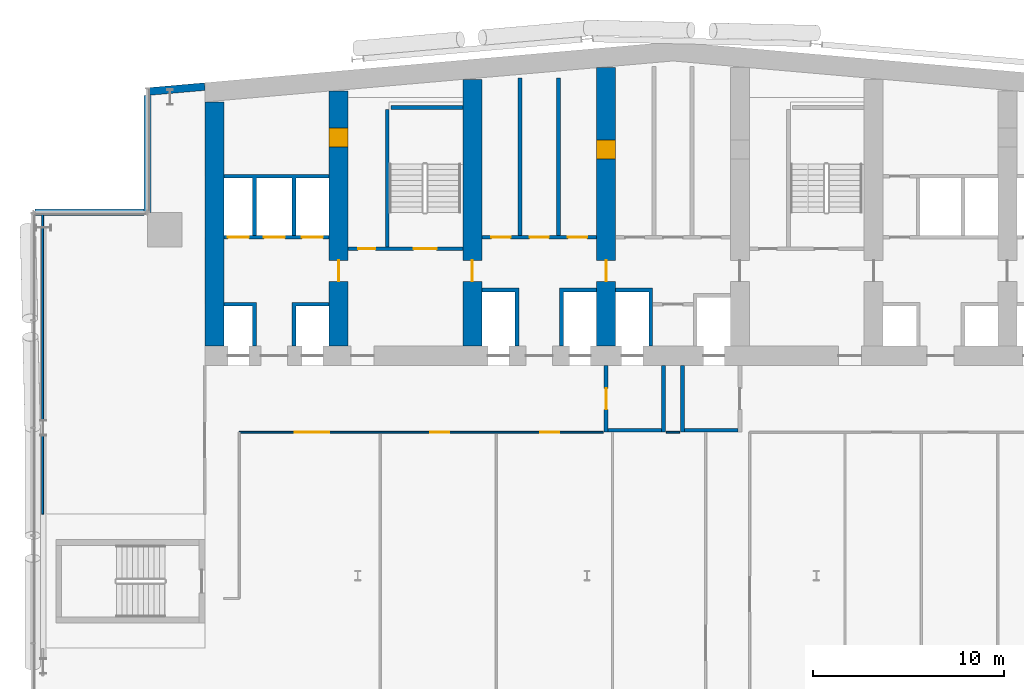
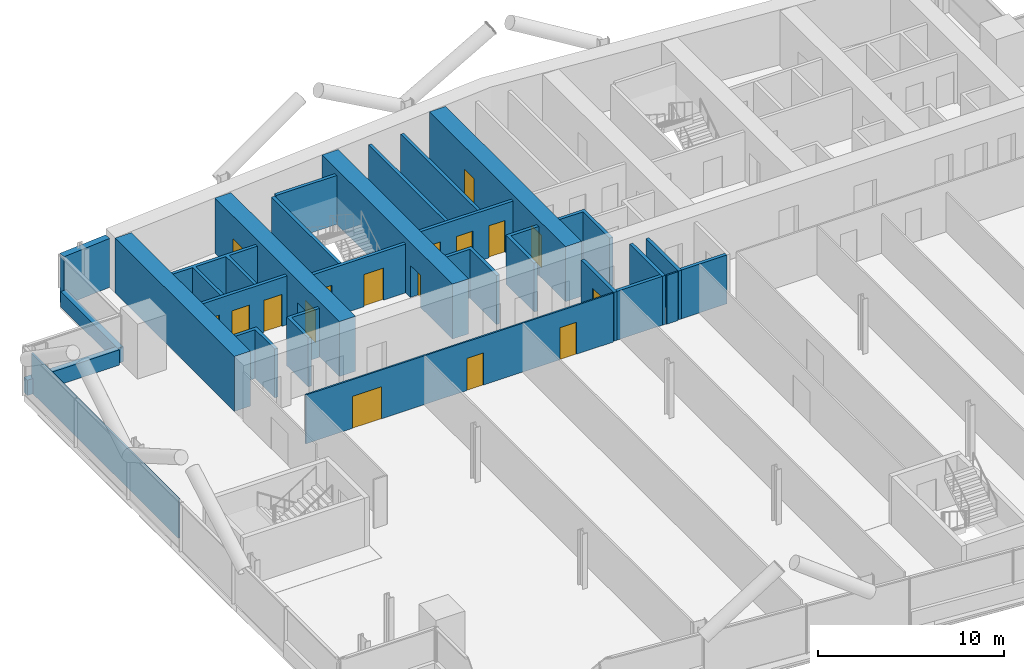
# One storey, part 15 of 25: 28 walls, 17 doors, 17 openings.
"""IFC4 building model written with IfcOpenShell, lengths in metres."""

from ifc_helpers import new_model, si_unit, direction, frame, frame_2d, origin, place, context, subcontext, project, spatial, polyline, rectangle, outline, extrude, material, layer, layer_set, type_object, element, fill, save


model = new_model("IFC4")

# Units and contexts
model_context = context("Model", 3, precision=1e-05, world=origin(), true_north=direction((0.0, 1.0)))
body_context = subcontext(model_context, "Body", "Model", "MODEL_VIEW")
ifc_project = project(units=[si_unit("LENGTHUNIT", "METRE"), si_unit("AREAUNIT", "SQUARE_METRE"), si_unit("VOLUMEUNIT", "CUBIC_METRE"), si_unit("PLANEANGLEUNIT", "RADIAN"), si_unit("MASSUNIT", "GRAM", prefix="KILO")], contexts=[model_context])

# Site, building, storey
site_placement = place(None, origin())
site = spatial("IfcSite", under=ifc_project, at=site_placement, CompositionType="ELEMENT")
building_placement = place(site_placement, origin())
building = spatial("IfcBuilding", under=site, at=building_placement, Name="Wharfspan Tower", CompositionType="ELEMENT")
storey_placement = place(building_placement, frame((0.0, 0.0, 129.100098)))
storey = spatial("IfcBuildingStorey", under=building, at=storey_placement, Name="L30", CompositionType="ELEMENT", Elevation=129.100098)

# Wall, openings, doors
ifc_material_1 = material(Name="Gypsum board on steel studs", Category="steel")
ifc_layer_1 = layer(ifc_material_1, 0.100098)
ifc_layer_set_1 = layer_set([ifc_layer_1], Name="Gypsum board on steel studs")
wall_type_1 = type_object("IfcWallType", Name="Compartment wall 100 EI 60", PredefinedType="PARTITIONING", material=ifc_layer_set_1)
wall_1_placement = place(storey_placement, frame((17.800049, 30.5, 0.0), z_axis=(0.0, 0.0, 1.0), x_axis=(1.0, 0.0, 0.0)))
wall_1 = element("IfcWall", 1, at=wall_1_placement, inside=storey, type_object=wall_type_1, Name="Partition L30.w006", PredefinedType="PARTITIONING", context=body_context, shape_type="SweptSolid", body=[
    extrude(rectangle(XDim=19.050049, YDim=0.100098, at=frame_2d((9.524902, 0.0))), origin(), (0.0, 0.0, 1.0), 3.199951),
])
opening_1_placement = place(wall_1_placement, frame((2.899902, 0.0, 0.0)))
opening_1 = element("IfcOpeningElement", 2, at=opening_1_placement, cuts=wall_1, Name="Opening B4-10", PredefinedType="OPENING", context=body_context, shape_type="SweptSolid", body=[
    extrude(rectangle(XDim=1.800049, YDim=2.100098, at=frame_2d((0.899902, 1.050049))), frame((0.0, 0.060059, 0.0), z_axis=(0.0, -1.0, 0.0), x_axis=(1.0, 0.0, 0.0)), (0.0, 0.0, 1.0), 0.120117),
])
opening_2_placement = place(wall_1_placement, frame((9.98999, 0.0, 0.0)))
opening_2 = element("IfcOpeningElement", 3, at=opening_2_placement, cuts=wall_1, Name="Opening B4-11", PredefinedType="OPENING", context=body_context, shape_type="SweptSolid", body=[
    extrude(rectangle(XDim=1.0, YDim=2.100098, at=frame_2d((0.5, 1.050049))), frame((0.0, 0.060059, 0.0), z_axis=(0.0, -1.0, 0.0), x_axis=(1.0, 0.0, 0.0)), (0.0, 0.0, 1.0), 0.120117),
])
opening_3_placement = place(wall_1_placement, frame((15.75, 0.0, 0.0)))
opening_3 = element("IfcOpeningElement", 4, at=opening_3_placement, cuts=wall_1, Name="Opening B4-12", PredefinedType="OPENING", context=body_context, shape_type="SweptSolid", body=[
    extrude(rectangle(XDim=1.0, YDim=2.100098, at=frame_2d((0.5, 1.050049))), frame((0.0, 0.060059, 0.0), z_axis=(0.0, -1.0, 0.0), x_axis=(1.0, 0.0, 0.0)), (0.0, 0.0, 1.0), 0.120117),
])
ifc_material_2 = material(Name="Fire-rated timber door leaf in steel frame", Category="steel")
door_type_1 = type_object("IfcDoorType", Name="Door 1000 FD30S Left", OperationType="SINGLE_SWING_LEFT", PredefinedType="DOOR", material=ifc_material_2)
door_1_placement = place(opening_2_placement, origin())
door_1 = element("IfcDoor", 5, at=door_1_placement, inside=storey, type_object=door_type_1, Name="Door B4-11", OperationType="SINGLE_SWING_LEFT", OverallHeight=2.100098, OverallWidth=1.0, PredefinedType="DOOR", context=body_context, shape_type="SweptSolid", body=[
    extrude(rectangle(XDim=1.0, YDim=2.100098, at=frame_2d((0.5, 1.050049))), frame((0.0, 0.024902, 0.0), z_axis=(0.0, -1.0, 0.0), x_axis=(1.0, 0.0, 0.0)), (0.0, 0.0, 1.0), 0.050049),
])
fill(opening_2, door_1)
door_type_2 = type_object("IfcDoorType", Name="Door 1000 FD30S Right", OperationType="SINGLE_SWING_RIGHT", PredefinedType="DOOR", material=ifc_material_2)
door_2_placement = place(opening_3_placement, origin())
door_2 = element("IfcDoor", 6, at=door_2_placement, inside=storey, type_object=door_type_2, Name="Door B4-12", OperationType="SINGLE_SWING_RIGHT", OverallHeight=2.100098, OverallWidth=1.0, PredefinedType="DOOR", context=body_context, shape_type="SweptSolid", body=[
    extrude(rectangle(XDim=1.0, YDim=2.100098, at=frame_2d((0.5, 1.050049))), frame((0.0, 0.024902, 0.0), z_axis=(0.0, -1.0, 0.0), x_axis=(1.0, 0.0, 0.0)), (0.0, 0.0, 1.0), 0.050049),
])
fill(opening_3, door_2)
door_type_3 = type_object("IfcDoorType", Name="Door 1800 FD30S Double", OperationType="DOUBLE_DOOR_SINGLE_SWING", PredefinedType="DOOR", material=ifc_material_2)
door_3_placement = place(opening_1_placement, origin())
door_3 = element("IfcDoor", 7, at=door_3_placement, inside=storey, type_object=door_type_3, Name="Door B4-10", OperationType="DOUBLE_DOOR_SINGLE_SWING", OverallHeight=2.100098, OverallWidth=1.800049, PredefinedType="DOOR", context=body_context, shape_type="SweptSolid", body=[
    extrude(rectangle(XDim=1.800049, YDim=2.100098, at=frame_2d((0.899902, 1.050049))), frame((0.0, 0.024902, 0.0), z_axis=(0.0, -1.0, 0.0), x_axis=(1.0, 0.0, 0.0)), (0.0, 0.0, 1.0), 0.050049),
])
fill(opening_1, door_3)

# Walls
wall_2_placement = place(storey_placement, frame((40.149902, 30.5, 0.0), z_axis=(0.0, 0.0, 1.0), x_axis=(1.0, 0.0, 0.0)))
element("IfcWall", 8, at=wall_2_placement, inside=storey, type_object=wall_type_1, Name="Partition L30.w006 (2)", PredefinedType="PARTITIONING", context=body_context, shape_type="SweptSolid", body=[
    extrude(rectangle(XDim=0.700195, YDim=0.100098, at=frame_2d((0.350098, 0.0))), origin(), (0.0, 0.0, 1.0), 3.199951),
])
ifc_material_3 = material(Name="Calcium silicate masonry", Category="masonry")
ifc_layer_2 = layer(ifc_material_3, 0.199951)
ifc_layer_set_2 = layer_set([ifc_layer_2], Name="Calcium silicate masonry")
wall_type_2 = type_object("IfcWallType", Name="Core room wall 200", PredefinedType="PARTITIONING", material=ifc_layer_set_2)
for number, where, z_axis, x_axis, name in (
    (9, (32.5, 40.800049, 0.0), (0.0, 0.0, 1.0), (0.0, 1.0, 0.0), "sw:L30:RP3.1"),
    (10, (34.5, 40.800049, 0.0), (0.0, 0.0, 1.0), (0.0, 1.0, 0.0), "sw:L30:RP3.2"),
):
    element("IfcWall", number, at=place(storey_placement, frame(where, z_axis=z_axis, x_axis=x_axis)), inside=storey, type_object=wall_type_2, Name=name, PredefinedType="PARTITIONING", context=body_context, shape_type="SweptSolid", body=[
        extrude(rectangle(XDim=8.232178, YDim=0.199951, at=frame_2d((4.116211, 0.0))), origin(), (0.0, 0.0, 1.0), 3.199951),
    ])
ifc_material_4 = material(Name="Concrete C70/85", Category="concrete")
ifc_layer_3 = layer(ifc_material_4, 1.0)
ifc_layer_set_3 = layer_set([ifc_layer_3], Name="Concrete C70/85")
wall_type_3 = type_object("IfcWallType", Name="Core wall 1000 C70/85", PredefinedType="SHEAR", material=ifc_layer_set_3)
wall_3_placement = place(storey_placement, frame((16.5, 35.0, 0.0), z_axis=(0.0, 0.0, 1.0), x_axis=(0.0, 1.0, 0.0)))
element("IfcWall", 11, at=wall_3_placement, inside=storey, type_object=wall_type_3, Name="Core cross wall EW0 L30", PredefinedType="SHEAR", context=body_context, shape_type="SweptSolid", body=[
    extrude(rectangle(XDim=12.783691, YDim=1.0, at=frame_2d((6.391846, 0.0))), origin(), (0.0, 0.0, 1.0), 3.599854),
])

# Wall, openings, doors
wall_4_placement = place(storey_placement, frame((23.0, 35.0, 0.0), z_axis=(0.0, 0.0, 1.0), x_axis=(0.0, 1.0, 0.0)))
wall_4 = element("IfcWall", 12, at=wall_4_placement, inside=storey, type_object=wall_type_3, Name="Core cross wall X2 L30", PredefinedType="SHEAR", context=body_context, shape_type="SweptSolid", body=[
    extrude(rectangle(XDim=13.352295, YDim=1.0, at=frame_2d((6.67627, 0.0))), origin(), (0.0, 0.0, 1.0), 3.599854),
])
opening_4_placement = place(wall_4_placement, frame((10.425537, 0.0, 0.0)))
opening_4 = element("IfcOpeningElement", 13, at=opening_4_placement, cuts=wall_4, Name="Opening CD30.1X", PredefinedType="OPENING", context=body_context, shape_type="SweptSolid", body=[
    extrude(rectangle(XDim=1.0, YDim=2.100098, at=frame_2d((0.5, 1.050049))), frame((0.0, 0.51001, 0.0), z_axis=(0.0, -1.0, 0.0), x_axis=(1.0, 0.0, 0.0)), (0.0, 0.0, 1.0), 1.02002),
])
opening_5_placement = place(wall_4_placement, frame((3.399902, 0.0, 0.0)))
opening_5 = element("IfcOpeningElement", 14, at=opening_5_placement, cuts=wall_4, Name="Opening CC30.2", PredefinedType="OPENING", context=body_context, shape_type="SweptSolid", body=[
    extrude(rectangle(XDim=1.100098, YDim=2.100098, at=frame_2d((0.550049, 1.050049))), frame((0.0, 0.51001, 0.0), z_axis=(0.0, -1.0, 0.0), x_axis=(1.0, 0.0, 0.0)), (0.0, 0.0, 1.0), 1.02002),
])
ifc_material_5 = material(Name="Steel door leaf", Category="steel")
door_type_4 = type_object("IfcDoorType", Name="Core corridor door 1100x2100", OperationType="SINGLE_SWING_LEFT", PredefinedType="DOOR", material=ifc_material_5)
door_4_placement = place(opening_5_placement, origin())
door_4 = element("IfcDoor", 15, at=door_4_placement, inside=storey, type_object=door_type_4, Name="xd:L30:2", OperationType="SINGLE_SWING_RIGHT", OverallHeight=2.100098, OverallWidth=1.100098, PredefinedType="DOOR", context=body_context, shape_type="SweptSolid", body=[
    extrude(rectangle(XDim=1.100098, YDim=2.100098, at=frame_2d((0.550049, 1.050049))), frame((0.0, 0.024902, 0.0), z_axis=(0.0, -1.0, 0.0), x_axis=(1.0, 0.0, 0.0)), (0.0, 0.0, 1.0), 0.050049),
])
fill(opening_5, door_4)
door_type_5 = type_object("IfcDoorType", Name="Core room door 1000x2100", OperationType="SINGLE_SWING_LEFT", PredefinedType="DOOR", material=ifc_material_5)
door_5_placement = place(opening_4_placement, origin())
door_5 = element("IfcDoor", 16, at=door_5_placement, inside=storey, type_object=door_type_5, Name="d:L30:1:sx", OperationType="SINGLE_SWING_LEFT", OverallHeight=2.100098, OverallWidth=1.0, PredefinedType="DOOR", context=body_context, shape_type="SweptSolid", body=[
    extrude(rectangle(XDim=1.0, YDim=2.100098, at=frame_2d((0.5, 1.050049))), frame((0.0, 0.499756, 0.0), z_axis=(0.0, -1.0, 0.0), x_axis=(1.0, 0.0, 0.0)), (0.0, 0.0, 1.0), 0.999512),
])
fill(opening_4, door_5)

# Wall, opening, door
wall_5_placement = place(storey_placement, frame((30.0, 35.0, 0.0), z_axis=(0.0, 0.0, 1.0), x_axis=(0.0, 1.0, 0.0)))
wall_5 = element("IfcWall", 17, at=wall_5_placement, inside=storey, type_object=wall_type_3, Name="Core cross wall X3 L30", PredefinedType="SHEAR", context=body_context, shape_type="SweptSolid", body=[
    extrude(rectangle(XDim=13.9646, YDim=1.0, at=frame_2d((6.982422, 0.0))), origin(), (0.0, 0.0, 1.0), 3.599854),
])
opening_6_placement = place(wall_5_placement, frame((3.399902, 0.0, 0.0)))
opening_6 = element("IfcOpeningElement", 18, at=opening_6_placement, cuts=wall_5, Name="Opening CC30.3", PredefinedType="OPENING", context=body_context, shape_type="SweptSolid", body=[
    extrude(rectangle(XDim=1.100098, YDim=2.100098, at=frame_2d((0.550049, 1.050049))), frame((0.0, 0.51001, 0.0), z_axis=(0.0, -1.0, 0.0), x_axis=(1.0, 0.0, 0.0)), (0.0, 0.0, 1.0), 1.02002),
])
door_6_placement = place(opening_6_placement, origin())
door_6 = element("IfcDoor", 19, at=door_6_placement, inside=storey, type_object=door_type_4, Name="xd:L30:3", OperationType="SINGLE_SWING_LEFT", OverallHeight=2.100098, OverallWidth=1.100098, PredefinedType="DOOR", context=body_context, shape_type="SweptSolid", body=[
    extrude(rectangle(XDim=1.100098, YDim=2.100098, at=frame_2d((0.550049, 1.050049))), frame((0.0, 0.024902, 0.0), z_axis=(0.0, -1.0, 0.0), x_axis=(1.0, 0.0, 0.0)), (0.0, 0.0, 1.0), 0.050049),
])
fill(opening_6, door_6)

# Wall, openings, doors
wall_6_placement = place(storey_placement, frame((37.0, 35.0, 0.0), z_axis=(0.0, 0.0, 1.0), x_axis=(0.0, 1.0, 0.0)))
wall_6 = element("IfcWall", 20, at=wall_6_placement, inside=storey, type_object=wall_type_3, Name="Core cross wall X4 L30", PredefinedType="SHEAR", context=body_context, shape_type="SweptSolid", body=[
    extrude(rectangle(XDim=14.577148, YDim=1.0, at=frame_2d((7.288574, 0.0))), origin(), (0.0, 0.0, 1.0), 3.599854),
])
opening_7_placement = place(wall_6_placement, frame((3.399902, 0.0, 0.0)))
opening_7 = element("IfcOpeningElement", 21, at=opening_7_placement, cuts=wall_6, Name="Opening CC30.4", PredefinedType="OPENING", context=body_context, shape_type="SweptSolid", body=[
    extrude(rectangle(XDim=1.100098, YDim=2.100098, at=frame_2d((0.550049, 1.050049))), frame((0.0, 0.51001, 0.0), z_axis=(0.0, -1.0, 0.0), x_axis=(1.0, 0.0, 0.0)), (0.0, 0.0, 1.0), 1.02002),
])
opening_8_placement = place(wall_6_placement, frame((9.800049, 0.0, 0.0)))
opening_8 = element("IfcOpeningElement", 22, at=opening_8_placement, cuts=wall_6, Name="Opening CR30.4", PredefinedType="OPENING", context=body_context, shape_type="SweptSolid", body=[
    extrude(rectangle(XDim=1.0, YDim=2.100098, at=frame_2d((0.5, 1.050049))), frame((0.0, 0.51001, 0.0), z_axis=(0.0, -1.0, 0.0), x_axis=(1.0, 0.0, 0.0)), (0.0, 0.0, 1.0), 1.02002),
])
door_7_placement = place(opening_7_placement, origin())
door_7 = element("IfcDoor", 23, at=door_7_placement, inside=storey, type_object=door_type_4, Name="xd:L30:4", OperationType="SINGLE_SWING_RIGHT", OverallHeight=2.100098, OverallWidth=1.100098, PredefinedType="DOOR", context=body_context, shape_type="SweptSolid", body=[
    extrude(rectangle(XDim=1.100098, YDim=2.100098, at=frame_2d((0.550049, 1.050049))), frame((0.0, 0.024902, 0.0), z_axis=(0.0, -1.0, 0.0), x_axis=(1.0, 0.0, 0.0)), (0.0, 0.0, 1.0), 0.050049),
])
fill(opening_7, door_7)
door_8_placement = place(opening_8_placement, origin())
door_8 = element("IfcDoor", 24, at=door_8_placement, inside=storey, type_object=door_type_5, Name="xr:L30:4", OperationType="SINGLE_SWING_RIGHT", OverallHeight=2.100098, OverallWidth=1.0, PredefinedType="DOOR", context=body_context, shape_type="SweptSolid", body=[
    extrude(rectangle(XDim=1.0, YDim=2.100098, at=frame_2d((0.5, 1.050049))), frame((0.0, 0.499756, 0.0), z_axis=(0.0, -1.0, 0.0), x_axis=(1.0, 0.0, 0.0)), (0.0, 0.0, 1.0), 0.999512),
])
fill(opening_8, door_8)

ifc_material_6 = material(Name="Concrete C30/37", Category="concrete")
ifc_layer_4 = layer(ifc_material_6, 0.199951)
ifc_layer_set_4 = layer_set([ifc_layer_4], Name="Concrete C30/37")
wall_type_4 = type_object("IfcWallType", Name="Lift shaft wall 200", PredefinedType="PARTITIONING", material=ifc_layer_set_4)
wall_7_placement = place(storey_placement, frame((17.0, 40.699951, 0.0), z_axis=(0.0, 0.0, 1.0), x_axis=(1.0, 0.0, 0.0)))
wall_7 = element("IfcWall", 25, at=wall_7_placement, inside=storey, type_object=wall_type_4, Name="sw:L30:RF1", PredefinedType="PARTITIONING", context=body_context, shape_type="SweptSolid", body=[
    extrude(rectangle(XDim=5.5, YDim=0.199951, at=frame_2d((2.75, 0.0))), origin(), (0.0, 0.0, 1.0), 3.199951),
])
opening_9_placement = place(wall_7_placement, frame((0.199951, 0.0, 0.0)))
opening_9 = element("IfcOpeningElement", 26, at=opening_9_placement, cuts=wall_7, Name="Opening LD.LA3.L30", PredefinedType="OPENING", context=body_context, shape_type="SweptSolid", body=[
    extrude(rectangle(XDim=1.100098, YDim=2.100098, at=frame_2d((0.550049, 1.050049))), frame((0.0, 0.109863, 0.0), z_axis=(0.0, -1.0, 0.0), x_axis=(1.0, 0.0, 0.0)), (0.0, 0.0, 1.0), 0.219971),
])
opening_10_placement = place(wall_7_placement, frame((2.083252, 0.0, 0.0)))
opening_10 = element("IfcOpeningElement", 27, at=opening_10_placement, cuts=wall_7, Name="Opening LD.LA4.L30", PredefinedType="OPENING", context=body_context, shape_type="SweptSolid", body=[
    extrude(rectangle(XDim=1.100098, YDim=2.100098, at=frame_2d((0.550049, 1.050049))), frame((0.0, 0.109863, 0.0), z_axis=(0.0, -1.0, 0.0), x_axis=(1.0, 0.0, 0.0)), (0.0, 0.0, 1.0), 0.219971),
])
opening_11_placement = place(wall_7_placement, frame((4.083252, 0.0, 0.0)))
opening_11 = element("IfcOpeningElement", 28, at=opening_11_placement, cuts=wall_7, Name="Opening LD.LA5.L30", PredefinedType="OPENING", context=body_context, shape_type="SweptSolid", body=[
    extrude(rectangle(XDim=1.100098, YDim=2.100098, at=frame_2d((0.550049, 1.050049))), frame((0.0, 0.109863, 0.0), z_axis=(0.0, -1.0, 0.0), x_axis=(1.0, 0.0, 0.0)), (0.0, 0.0, 1.0), 0.219971),
])
ifc_material_7 = material(Name="Stainless steel", Category="steel")
door_type_6 = type_object("IfcDoorType", Name="Lift landing door 1100x2100", OperationType="DOUBLE_DOOR_SLIDING", PredefinedType="DOOR", material=ifc_material_7)
door_9_placement = place(opening_9_placement, origin())
door_9 = element("IfcDoor", 29, at=door_9_placement, inside=storey, type_object=door_type_6, Name="Landing door LA3 L30", OperationType="DOUBLE_DOOR_SLIDING", OverallHeight=2.100098, OverallWidth=1.100098, PredefinedType="DOOR", context=body_context, shape_type="SweptSolid", body=[
    extrude(rectangle(XDim=1.100098, YDim=2.100098, at=frame_2d((0.550049, 1.050049))), frame((0.0, 0.024902, 0.0), z_axis=(0.0, -1.0, 0.0), x_axis=(1.0, 0.0, 0.0)), (0.0, 0.0, 1.0), 0.050049),
])
fill(opening_9, door_9)
door_10_placement = place(opening_10_placement, origin())
door_10 = element("IfcDoor", 30, at=door_10_placement, inside=storey, type_object=door_type_6, Name="Landing door LA4 L30", OperationType="DOUBLE_DOOR_SLIDING", OverallHeight=2.100098, OverallWidth=1.100098, PredefinedType="DOOR", context=body_context, shape_type="SweptSolid", body=[
    extrude(rectangle(XDim=1.100098, YDim=2.100098, at=frame_2d((0.550049, 1.050049))), frame((0.0, 0.024902, 0.0), z_axis=(0.0, -1.0, 0.0), x_axis=(1.0, 0.0, 0.0)), (0.0, 0.0, 1.0), 0.050049),
])
fill(opening_10, door_10)
door_11_placement = place(opening_11_placement, origin())
door_11 = element("IfcDoor", 31, at=door_11_placement, inside=storey, type_object=door_type_6, Name="Landing door LA5 L30", OperationType="DOUBLE_DOOR_SLIDING", OverallHeight=2.100098, OverallWidth=1.100098, PredefinedType="DOOR", context=body_context, shape_type="SweptSolid", body=[
    extrude(rectangle(XDim=1.100098, YDim=2.100098, at=frame_2d((0.550049, 1.050049))), frame((0.0, 0.024902, 0.0), z_axis=(0.0, -1.0, 0.0), x_axis=(1.0, 0.0, 0.0)), (0.0, 0.0, 1.0), 0.050049),
])
fill(opening_11, door_11)

# Walls
wall_8_placement = place(storey_placement, frame((0.0, 0.0, -0.000244)))
element("IfcWall", 32, at=wall_8_placement, inside=storey, type_object=wall_type_4, Name="sw:L30:FM1.0", PredefinedType="PARTITIONING", context=body_context, shape_type="SweptSolid", body=[
    extrude(outline(polyline([(18.5, 37.100098), (17.0, 37.100098), (17.0, 37.300049), (18.5, 37.300049), (18.699951, 37.300049), (18.699951, 35.0), (18.5, 35.0), (18.5, 37.100098)])), origin(), (0.0, 0.0, 1.0), 3.200195),
])
wall_9_placement = place(storey_placement, frame((0.0, 0.0, -0.000244)))
element("IfcWall", 33, at=wall_9_placement, inside=storey, type_object=wall_type_4, Name="sw:L30:FM1.1", PredefinedType="PARTITIONING", context=body_context, shape_type="SweptSolid", body=[
    extrude(outline(polyline([(20.56665, 37.300049), (20.766602, 37.300049), (22.5, 37.300049), (22.5, 37.100098), (20.766602, 37.100098), (20.766602, 35.0), (20.56665, 35.0), (20.56665, 37.300049)])), origin(), (0.0, 0.0, 1.0), 3.200195),
])
wall_10_placement = place(storey_placement, frame((0.0, 0.0, -0.000244)))
element("IfcWall", 34, at=wall_10_placement, inside=storey, type_object=wall_type_4, Name="sw:L30:RM1.0", PredefinedType="PARTITIONING", context=body_context, shape_type="SweptSolid", body=[
    extrude(outline(polyline([(18.699951, 40.800049), (18.5, 40.800049), (18.5, 43.800049), (17.0, 43.800049), (17.0, 44.0), (22.5, 44.0), (22.5, 43.800049), (20.766602, 43.800049), (20.766602, 40.800049), (20.56665, 40.800049), (20.56665, 43.800049), (18.699951, 43.800049), (18.699951, 40.800049)])), origin(), (0.0, 0.0, 1.0), 3.200195),
])

# Wall, openings, doors
wall_11_placement = place(storey_placement, frame((30.5, 40.699951, 0.0), z_axis=(0.0, 0.0, 1.0), x_axis=(1.0, 0.0, 0.0)))
wall_11 = element("IfcWall", 35, at=wall_11_placement, inside=storey, type_object=wall_type_4, Name="sw:L30:RF3", PredefinedType="PARTITIONING", context=body_context, shape_type="SweptSolid", body=[
    extrude(rectangle(XDim=6.0, YDim=0.199951, at=frame_2d((3.0, 0.0))), origin(), (0.0, 0.0, 1.0), 3.199951),
])
opening_12_placement = place(wall_11_placement, frame((0.5, 0.0, 0.0)))
opening_12 = element("IfcOpeningElement", 36, at=opening_12_placement, cuts=wall_11, Name="Opening CD30.3S", PredefinedType="OPENING", context=body_context, shape_type="SweptSolid", body=[
    extrude(rectangle(XDim=1.0, YDim=2.100098, at=frame_2d((0.5, 1.050049))), frame((0.0, 0.109863, 0.0), z_axis=(0.0, -1.0, 0.0), x_axis=(1.0, 0.0, 0.0)), (0.0, 0.0, 1.0), 0.219971),
])
opening_13_placement = place(wall_11_placement, frame((2.5, 0.0, 0.0)))
opening_13 = element("IfcOpeningElement", 37, at=opening_13_placement, cuts=wall_11, Name="Opening CD30.3Sa", PredefinedType="OPENING", context=body_context, shape_type="SweptSolid", body=[
    extrude(rectangle(XDim=1.0, YDim=2.100098, at=frame_2d((0.5, 1.050049))), frame((0.0, 0.109863, 0.0), z_axis=(0.0, -1.0, 0.0), x_axis=(1.0, 0.0, 0.0)), (0.0, 0.0, 1.0), 0.219971),
])
opening_14_placement = place(wall_11_placement, frame((4.5, 0.0, 0.0)))
opening_14 = element("IfcOpeningElement", 38, at=opening_14_placement, cuts=wall_11, Name="Opening CD30.3Sb", PredefinedType="OPENING", context=body_context, shape_type="SweptSolid", body=[
    extrude(rectangle(XDim=1.0, YDim=2.100098, at=frame_2d((0.5, 1.050049))), frame((0.0, 0.109863, 0.0), z_axis=(0.0, -1.0, 0.0), x_axis=(1.0, 0.0, 0.0)), (0.0, 0.0, 1.0), 0.219971),
])
door_12_placement = place(opening_12_placement, origin())
door_12 = element("IfcDoor", 39, at=door_12_placement, inside=storey, type_object=door_type_5, Name="d:L30:3:sf", OperationType="SINGLE_SWING_LEFT", OverallHeight=2.100098, OverallWidth=1.0, PredefinedType="DOOR", context=body_context, shape_type="SweptSolid", body=[
    extrude(rectangle(XDim=1.0, YDim=2.100098, at=frame_2d((0.5, 1.050049))), frame((0.0, 0.024902, 0.0), z_axis=(0.0, -1.0, 0.0), x_axis=(1.0, 0.0, 0.0)), (0.0, 0.0, 1.0), 0.050049),
])
fill(opening_12, door_12)
door_13_placement = place(opening_13_placement, origin())
door_13 = element("IfcDoor", 40, at=door_13_placement, inside=storey, type_object=door_type_5, Name="d:L30:3:sf1", OperationType="SINGLE_SWING_LEFT", OverallHeight=2.100098, OverallWidth=1.0, PredefinedType="DOOR", context=body_context, shape_type="SweptSolid", body=[
    extrude(rectangle(XDim=1.0, YDim=2.100098, at=frame_2d((0.5, 1.050049))), frame((0.0, 0.024902, 0.0), z_axis=(0.0, -1.0, 0.0), x_axis=(1.0, 0.0, 0.0)), (0.0, 0.0, 1.0), 0.050049),
])
fill(opening_13, door_13)
door_14_placement = place(opening_14_placement, origin())
door_14 = element("IfcDoor", 41, at=door_14_placement, inside=storey, type_object=door_type_5, Name="d:L30:3:sf2", OperationType="SINGLE_SWING_LEFT", OverallHeight=2.100098, OverallWidth=1.0, PredefinedType="DOOR", context=body_context, shape_type="SweptSolid", body=[
    extrude(rectangle(XDim=1.0, YDim=2.100098, at=frame_2d((0.5, 1.050049))), frame((0.0, 0.024902, 0.0), z_axis=(0.0, -1.0, 0.0), x_axis=(1.0, 0.0, 0.0)), (0.0, 0.0, 1.0), 0.050049),
])
fill(opening_14, door_14)

# Walls
wall_12_placement = place(storey_placement, frame((0.0, 0.0, -0.000244)))
element("IfcWall", 42, at=wall_12_placement, inside=storey, type_object=wall_type_4, Name="sw:L30:FM3.0", PredefinedType="PARTITIONING", context=body_context, shape_type="SweptSolid", body=[
    extrude(outline(polyline([(32.233398, 37.850098), (30.5, 37.850098), (30.5, 38.050049), (32.233398, 38.050049), (32.43335, 38.050049), (32.43335, 35.0), (32.233398, 35.0), (32.233398, 37.850098)])), origin(), (0.0, 0.0, 1.0), 3.200195),
])
wall_13_placement = place(storey_placement, frame((0.0, 0.0, -0.000244)))
element("IfcWall", 43, at=wall_13_placement, inside=storey, type_object=wall_type_4, Name="sw:L30:FM3.1", PredefinedType="PARTITIONING", context=body_context, shape_type="SweptSolid", body=[
    extrude(outline(polyline([(34.56665, 38.050049), (34.766602, 38.050049), (36.5, 38.050049), (36.5, 37.850098), (34.766602, 37.850098), (34.766602, 35.0), (34.56665, 35.0), (34.56665, 38.050049)])), origin(), (0.0, 0.0, 1.0), 3.200195),
])
wall_14_placement = place(storey_placement, frame((0.0, 0.0, -0.000244)))
element("IfcWall", 44, at=wall_14_placement, inside=storey, type_object=wall_type_4, Name="sw:L30:FM4.1", PredefinedType="PARTITIONING", context=body_context, shape_type="SweptSolid", body=[
    extrude(outline(polyline([(39.233398, 37.850098), (37.5, 37.850098), (37.5, 38.050049), (39.233398, 38.050049), (39.43335, 38.050049), (39.43335, 35.0), (39.233398, 35.0), (39.233398, 37.850098)])), origin(), (0.0, 0.0, 1.0), 3.200195),
])

# Wall, opening, door
ifc_layer_5 = layer(ifc_material_6, 0.199951)
ifc_layer_set_5 = layer_set([ifc_layer_5], Name="Concrete C30/37")
wall_type_5 = type_object("IfcWallType", Name="Lobby wall 200", PredefinedType="PARTITIONING", material=ifc_layer_set_5)
wall_15_placement = place(storey_placement, frame((37.0, 30.5, 0.0), z_axis=(0.0, 0.0, 1.0), x_axis=(0.0, 1.0, 0.0)))
wall_15 = element("IfcWall", 45, at=wall_15_placement, inside=storey, type_object=wall_type_5, Name="sw:L30:FLFF1W", PredefinedType="PARTITIONING", context=body_context, shape_type="SweptSolid", body=[
    extrude(rectangle(XDim=3.5, YDim=0.199951, at=frame_2d((1.75, 0.0))), origin(), (0.0, 0.0, 1.0), 3.199951),
])
opening_15_placement = place(wall_15_placement, frame((1.199951, 0.0, 0.0)))
opening_15 = element("IfcOpeningElement", 46, at=opening_15_placement, cuts=wall_15, Name="Opening FL.FF1.L30", PredefinedType="OPENING", context=body_context, shape_type="SweptSolid", body=[
    extrude(rectangle(XDim=1.100098, YDim=2.100098, at=frame_2d((0.550049, 1.050049))), frame((0.0, 0.109863, 0.0), z_axis=(0.0, -1.0, 0.0), x_axis=(1.0, 0.0, 0.0)), (0.0, 0.0, 1.0), 0.219971),
])
door_type_7 = type_object("IfcDoorType", Name="Firefighting lobby door 1100x2100", OperationType="SINGLE_SWING_LEFT", PredefinedType="DOOR", material=ifc_material_5)
door_15_placement = place(opening_15_placement, origin())
door_15 = element("IfcDoor", 47, at=door_15_placement, inside=storey, type_object=door_type_7, Name="fd:L30:FF1", OperationType="SINGLE_SWING_LEFT", OverallHeight=2.100098, OverallWidth=1.100098, PredefinedType="DOOR", context=body_context, shape_type="SweptSolid", body=[
    extrude(rectangle(XDim=1.100098, YDim=2.100098, at=frame_2d((0.550049, 1.050049))), frame((0.0, 0.024902, 0.0), z_axis=(0.0, -1.0, 0.0), x_axis=(1.0, 0.0, 0.0)), (0.0, 0.0, 1.0), 0.050049),
])
fill(opening_15, door_15)

# Walls
wall_16_placement = place(storey_placement, frame((40.0, 30.5, 0.0), z_axis=(0.0, 0.0, 1.0), x_axis=(0.0, 1.0, 0.0)))
element("IfcWall", 48, at=wall_16_placement, inside=storey, type_object=wall_type_5, Name="sw:L30:FLFF1E", PredefinedType="PARTITIONING", context=body_context, shape_type="SweptSolid", body=[
    extrude(rectangle(XDim=3.5, YDim=0.199951, at=frame_2d((1.75, 0.0))), origin(), (0.0, 0.0, 1.0), 3.199951),
])
wall_17_placement = place(storey_placement, frame((37.100098, 30.600098, 0.0), z_axis=(0.0, 0.0, 1.0), x_axis=(1.0, 0.0, 0.0)))
element("IfcWall", 49, at=wall_17_placement, inside=storey, type_object=wall_type_5, Name="sw:L30:FLFF1F", PredefinedType="PARTITIONING", context=body_context, shape_type="SweptSolid", body=[
    extrude(rectangle(XDim=2.799805, YDim=0.199951, at=frame_2d((1.399902, 0.0))), origin(), (0.0, 0.0, 1.0), 3.199951),
])
wall_18_placement = place(storey_placement, frame((41.0, 30.5, 0.0), z_axis=(0.0, 0.0, 1.0), x_axis=(0.0, 1.0, 0.0)))
element("IfcWall", 50, at=wall_18_placement, inside=storey, type_object=wall_type_5, Name="sw:L30:FLFF2W", PredefinedType="PARTITIONING", context=body_context, shape_type="SweptSolid", body=[
    extrude(rectangle(XDim=3.5, YDim=0.199951, at=frame_2d((1.75, 0.0))), origin(), (0.0, 0.0, 1.0), 3.199951),
])
wall_19_placement = place(storey_placement, frame((41.100098, 30.600098, 0.0), z_axis=(0.0, 0.0, 1.0), x_axis=(1.0, 0.0, 0.0)))
element("IfcWall", 51, at=wall_19_placement, inside=storey, type_object=wall_type_5, Name="sw:L30:FLFF2F", PredefinedType="PARTITIONING", context=body_context, shape_type="SweptSolid", body=[
    extrude(rectangle(XDim=2.799805, YDim=0.199951, at=frame_2d((1.399902, 0.0))), origin(), (0.0, 0.0, 1.0), 3.199951),
])
ifc_layer_6 = layer(ifc_material_1, 0.100098)
ifc_layer_set_6 = layer_set([ifc_layer_6], Name="Gypsum board on steel studs")
wall_type_6 = type_object("IfcWallType", Name="Partition 100", PredefinedType="PARTITIONING", material=ifc_layer_set_6)
wall_20_placement = place(storey_placement, frame((7.51001, 26.219971, 0.0), z_axis=(0.0, 0.0, 1.0), x_axis=(0.0, 1.0, 0.0)))
element("IfcWall", 52, at=wall_20_placement, inside=storey, type_object=wall_type_6, Name="Partition L30.w002", PredefinedType="PARTITIONING", context=body_context, shape_type="SweptSolid", body=[
    extrude(rectangle(XDim=15.76001, YDim=0.100098, at=frame_2d((7.879883, 0.0))), origin(), (0.0, 0.0, 1.0), 2.579834),
])
ifc_material_8 = material(Name="Concrete C40/50", Category="concrete")
ifc_layer_7 = layer(ifc_material_8, 0.350098)
ifc_layer_set_7 = layer_set([ifc_layer_7], Name="Concrete C40/50")
wall_type_7 = type_object("IfcWallType", Name="SPANDREL EXPOSED CONCRETE 350", PredefinedType="SOLIDWALL", material=ifc_layer_set_7)
wall_21_placement = place(storey_placement, frame((12.995117, 48.126465, 0.0), z_axis=(0.0, 0.0, 1.0), x_axis=(0.0, -1.0, 0.0)))
element("IfcWall", 53, at=wall_21_placement, inside=storey, type_object=wall_type_7, Name="Spandrel upstand L30 NRW-V", PredefinedType="SOLIDWALL", context=body_context, shape_type="SweptSolid", body=[
    extrude(rectangle(XDim=6.126465, YDim=0.350098, at=frame_2d((3.063232, 0.0))), origin(), (0.0, 0.0, 1.0), 1.0),
])
wall_22_placement = place(storey_placement, frame((12.820068, 42.004883, 0.0), z_axis=(0.0, 0.0, 1.0), x_axis=(-1.0, 0.0, 0.0)))
element("IfcWall", 54, at=wall_22_placement, inside=storey, type_object=wall_type_7, Name="Spandrel upstand L30 NRW-H", PredefinedType="SOLIDWALL", context=body_context, shape_type="SweptSolid", body=[
    extrude(rectangle(XDim=5.699951, YDim=0.350098, at=frame_2d((2.850098, 0.0))), origin(), (0.0, 0.0, 1.0), 1.0),
])

# Wall, openings, doors
ifc_layer_8 = layer(ifc_material_8, 0.199951)
ifc_layer_set_8 = layer_set([ifc_layer_8], Name="Concrete C40/50")
wall_type_8 = type_object("IfcWallType", Name="Stair shaft wall 200", PredefinedType="SHEAR", material=ifc_layer_set_8)
wall_23_placement = place(storey_placement, frame((23.5, 40.100098, 0.0), z_axis=(0.0, 0.0, 1.0), x_axis=(1.0, 0.0, 0.0)))
wall_23 = element("IfcWall", 55, at=wall_23_placement, inside=storey, type_object=wall_type_8, Name="ST1 stair enclosure wall L30", PredefinedType="SHEAR", context=body_context, shape_type="SweptSolid", body=[
    extrude(rectangle(XDim=6.0, YDim=0.199951, at=frame_2d((3.0, 0.0))), origin(), (0.0, 0.0, 1.0), 3.199951),
])
opening_16_placement = place(wall_23_placement, frame((3.425049, 0.0, 0.0)))
opening_16 = element("IfcOpeningElement", 56, at=opening_16_placement, cuts=wall_23, Name="Opening SD2.L30", PredefinedType="OPENING", context=body_context, shape_type="SweptSolid", body=[
    extrude(rectangle(XDim=1.199951, YDim=2.100098, at=frame_2d((0.600098, 1.050049))), frame((0.0, 0.109863, 0.0), z_axis=(0.0, -1.0, 0.0), x_axis=(1.0, 0.0, 0.0)), (0.0, 0.0, 1.0), 0.219971),
])
opening_17_placement = place(wall_23_placement, frame((0.524902, 0.0, 0.0)))
opening_17 = element("IfcOpeningElement", 57, at=opening_17_placement, cuts=wall_23, Name="Opening CD30.2R", PredefinedType="OPENING", context=body_context, shape_type="SweptSolid", body=[
    extrude(rectangle(XDim=0.899902, YDim=2.100098, at=frame_2d((0.449951, 1.050049))), frame((0.0, 0.109863, 0.0), z_axis=(0.0, -1.0, 0.0), x_axis=(1.0, 0.0, 0.0)), (0.0, 0.0, 1.0), 0.219971),
])
door_16_placement = place(opening_17_placement, origin())
door_16 = element("IfcDoor", 58, at=door_16_placement, inside=storey, type_object=door_type_5, Name="rk:L30:2", OperationType="SINGLE_SWING_LEFT", OverallHeight=2.100098, OverallWidth=0.899902, PredefinedType="DOOR", context=body_context, shape_type="SweptSolid", body=[
    extrude(rectangle(XDim=0.899902, YDim=2.100098, at=frame_2d((0.449951, 1.050049))), frame((0.0, 0.024902, 0.0), z_axis=(0.0, -1.0, 0.0), x_axis=(1.0, 0.0, 0.0)), (0.0, 0.0, 1.0), 0.050049),
])
fill(opening_17, door_16)
door_type_8 = type_object("IfcDoorType", Name="Stair door 1200x2100", OperationType="SINGLE_SWING_LEFT", PredefinedType="DOOR", material=ifc_material_5)
door_17_placement = place(opening_16_placement, origin())
door_17 = element("IfcDoor", 59, at=door_17_placement, inside=storey, type_object=door_type_8, Name="sd:L30:2", OperationType="SINGLE_SWING_RIGHT", OverallHeight=2.100098, OverallWidth=1.199951, PredefinedType="DOOR", context=body_context, shape_type="SweptSolid", body=[
    extrude(rectangle(XDim=1.199951, YDim=2.100098, at=frame_2d((0.600098, 1.050049))), frame((0.0, 0.024902, 0.0), z_axis=(0.0, -1.0, 0.0), x_axis=(1.0, 0.0, 0.0)), (0.0, 0.0, 1.0), 0.050049),
])
fill(opening_16, door_17)

# Walls
wall_24_placement = place(storey_placement, frame((25.550049, 40.199951, 0.0), z_axis=(0.0, 0.0, 1.0), x_axis=(0.0, 1.0, 0.0)))
element("IfcWall", 60, at=wall_24_placement, inside=storey, type_object=wall_type_8, Name="ST1 stair enclosure wall L30", PredefinedType="SHEAR", context=body_context, shape_type="SweptSolid", body=[
    extrude(rectangle(XDim=7.199951, YDim=0.199951, at=frame_2d((3.600098, 0.0))), origin(), (0.0, 0.0, 1.0), 3.199951),
])
wall_25_placement = place(storey_placement, frame((25.75, 47.5, 0.0), z_axis=(0.0, 0.0, 1.0), x_axis=(1.0, 0.0, 0.0)))
element("IfcWall", 61, at=wall_25_placement, inside=storey, type_object=wall_type_8, Name="ST1 stair enclosure wall L30", PredefinedType="SHEAR", context=body_context, shape_type="SweptSolid", body=[
    extrude(rectangle(XDim=3.75, YDim=0.199951, at=frame_2d((1.875, 0.0))), origin(), (0.0, 0.0, 1.0), 3.199951),
])
ifc_layer_9 = layer(ifc_material_8, 0.399902)
ifc_layer_set_9 = layer_set([ifc_layer_9], Name="Concrete C40/50")
wall_type_9 = type_object("IfcWallType", Name="WALL EXPOSED CONCRETE 400", PredefinedType="SOLIDWALL", material=ifc_layer_set_9)
wall_26_placement = place(storey_placement, frame((16.0, 48.58667, 0.0), z_axis=(0.0, 0.0, 1.0), x_axis=(-0.996194, -0.087168, 0.0)))
element("IfcWall", 62, at=wall_26_placement, inside=storey, type_object=wall_type_9, Name="Rear wall N1", PredefinedType="SOLIDWALL", context=body_context, shape_type="SweptSolid", body=[
    extrude(rectangle(XDim=2.994141, YDim=0.399902, at=frame_2d((1.49707, 0.0))), origin(), (0.0, 0.0, 1.0), 3.199951),
])

save(model, "model.ifc")
